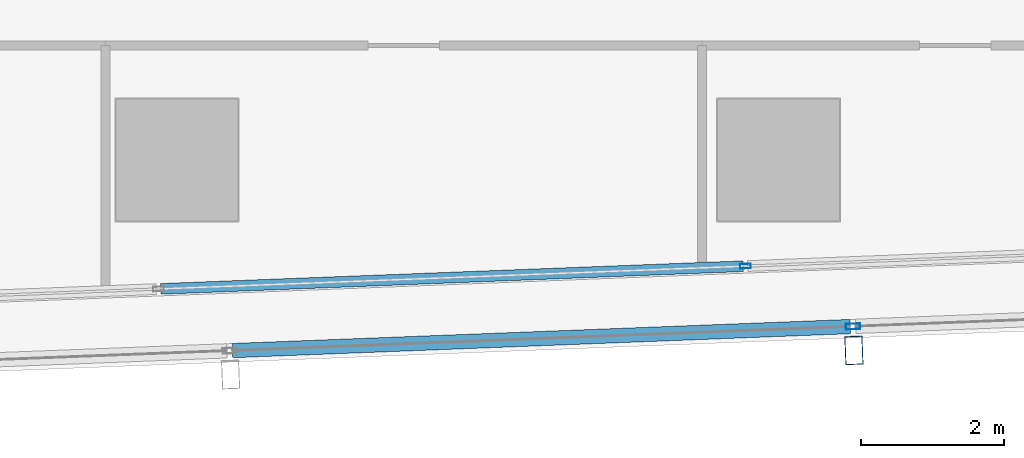
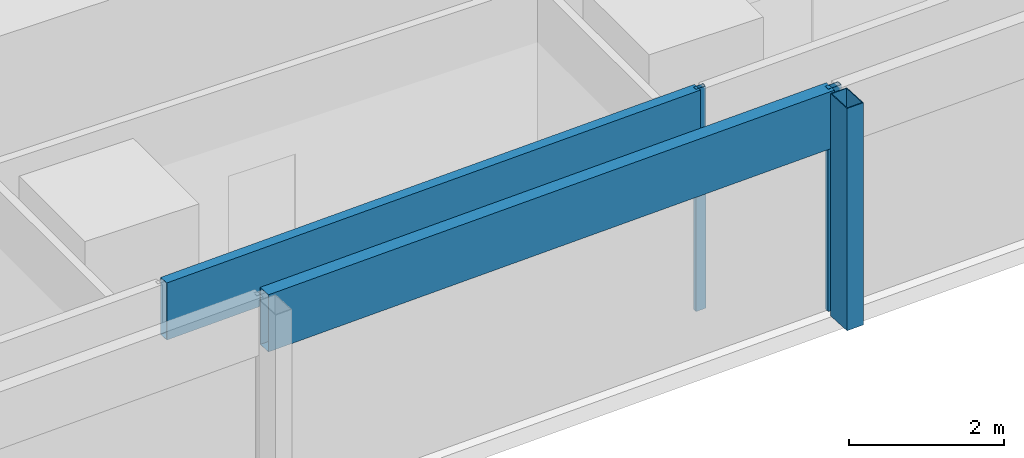
# One storey, part 10 of 40: 5 members, 2 elements without a shape of their own.
"""IFC4 building model written with IfcOpenShell, lengths in metres."""

from ifc_helpers import new_model, si_unit, direction, frame, origin, origin_2d, place, context, subcontext, project, spatial, hollow_rectangle, extrude, material, material_profile, profile_set, type_object, element, aggregate, save


model = new_model("IFC4")

# Units and contexts
model_context = context("Model", 3, precision=1e-05, world=origin(), true_north=direction((0.0, 1.0)))
body_context = subcontext(model_context, "Body", "Model", "MODEL_VIEW")
ifc_project = project(units=[si_unit("LENGTHUNIT", "METRE"), si_unit("AREAUNIT", "SQUARE_METRE"), si_unit("VOLUMEUNIT", "CUBIC_METRE"), si_unit("PLANEANGLEUNIT", "RADIAN"), si_unit("MASSUNIT", "GRAM", prefix="KILO")], contexts=[model_context])

# Site, building, storey
site_placement = place(None, origin())
site = spatial("IfcSite", under=ifc_project, at=site_placement, CompositionType="ELEMENT")
building_placement = place(site_placement, origin())
building = spatial("IfcBuilding", under=site, at=building_placement, Name="Rekha Terrace Tower", CompositionType="ELEMENT")
storey_placement = place(building_placement, frame((0.0, 0.0, 125.300048828125)))
storey = spatial("IfcBuildingStorey", under=building, at=storey_placement, Name="L31", CompositionType="ELEMENT", Elevation=125.300048828125)

# Curtain wall, member
ifc_material_1 = material(Name="Aluminium framing", Category="aluminium")
curtain_wall_type_1 = type_object("IfcCurtainWallType", Name="CW2 double skin outer glazing", PredefinedType="USERDEFINED", material=ifc_material_1)
curtain_wall_1_placement = place(storey_placement, origin())
curtain_wall_1 = element("IfcCurtainWall", 1, at=curtain_wall_1_placement, inside=storey, type_object=curtain_wall_type_1, Name="CW2 double skin outer glazing", ObjectType="DOUBLE SKIN OUTER GLAZING", PredefinedType="USERDEFINED")
ifc_material_2 = material(Name="Steel S355 with fluorocarbon finish", Category="steel")
ifc_material_profile_1 = material_profile(ifc_material_2, hollow_rectangle(XDim=0.25, YDim=0.39990234375, WallThickness=0.012451171875, at=origin_2d()), Name="RHS400x250x12.5")
ifc_profile_set_1 = profile_set([ifc_material_profile_1], Name="Steel S355 with fluorocarbon finish")
member_type_1 = type_object("IfcMemberType", Name="BL1 facade blade RHS 400 x 250", PredefinedType="USERDEFINED", material=ifc_profile_set_1)
member_1_placement = place(storey_placement, frame((51.4521484375, 14.141845703125, 0.0), z_axis=(0.0, 0.0, 1.0), x_axis=(0.999243494356, 0.038890088543, 0.0)))
member_1 = element("IfcMember", 2, at=member_1_placement, type_object=member_type_1, Name="Facade blade", ObjectType="FACADE BLADE", PredefinedType="USERDEFINED", context=body_context, shape_type="SweptSolid", body=[
    extrude(hollow_rectangle(XDim=0.25, YDim=0.39990234375, WallThickness=0.012451171875, at=origin_2d()), origin(), (0.0, 0.0, 1.0), 3.5),
])

# Curtain wall, members
curtain_wall_type_2 = type_object("IfcCurtainWallType", Name="CW1 double skin inner glazing", PredefinedType="USERDEFINED", material=ifc_material_1)
curtain_wall_2_placement = place(storey_placement, origin())
curtain_wall_2 = element("IfcCurtainWall", 3, at=curtain_wall_2_placement, inside=storey, type_object=curtain_wall_type_2, Name="CW1 double skin inner glazing", ObjectType="DOUBLE SKIN INNER GLAZING", PredefinedType="USERDEFINED")
ifc_material_3 = material(Name="Aluminium mullion section", Category="aluminium")
ifc_material_profile_2 = material_profile(ifc_material_3, hollow_rectangle(XDim=0.06494140625, YDim=0.14990234375, WallThickness=0.00390625, at=origin_2d()), Name="AL RHS 65x150")
ifc_profile_set_2 = profile_set([ifc_material_profile_2], Name="Aluminium mullion section")
member_type_2 = type_object("IfcMemberType", Name="CW1 mullion RHS 65 x 150", PredefinedType="MULLION", material=ifc_profile_set_2)
member_2_placement = place(storey_placement, frame((49.936767578125, 15.31884765625, 0.0), z_axis=(0.0, 0.0, 1.0), x_axis=(-0.038889971345, 0.999243498917, 0.0)))
member_2 = element("IfcMember", 4, at=member_2_placement, type_object=member_type_2, Name="CW1 mullion 4", PredefinedType="MULLION", context=body_context, shape_type="SweptSolid", body=[
    extrude(hollow_rectangle(XDim=0.06494140625, YDim=0.14990234375, WallThickness=0.00390625, at=origin_2d()), origin(), (0.0, 0.0, 1.0), 3.5),
])
ifc_material_4 = material(Name="Insulated aluminium spandrel box", Category="aluminium")
ifc_material_profile_3 = material_profile(ifc_material_4, hollow_rectangle(XDim=0.14990234375, YDim=0.89990234375, WallThickness=0.0029296875, at=origin_2d()), Name="AL SPANDREL BOX 150x900")
ifc_profile_set_3 = profile_set([ifc_material_profile_3], Name="Insulated aluminium spandrel box")
member_type_3 = type_object("IfcMemberType", Name="CW1 spandrel transom 150 x 900", PredefinedType="USERDEFINED", material=ifc_profile_set_3)
member_3_placement = place(storey_placement, frame((41.772705078125, 15.001220703125, 3.050048828125), z_axis=(0.999243835719, 0.038881316573, 0.0), x_axis=(-0.038881316573, 0.999243835719, 0.0)))
member_3 = element("IfcMember", 5, at=member_3_placement, type_object=member_type_3, Name="CW1 spandrel transom 3", ObjectType="TRANSOM", PredefinedType="USERDEFINED", context=body_context, shape_type="SweptSolid", body=[
    extrude(hollow_rectangle(XDim=0.14990234375, YDim=0.89990234375, WallThickness=0.0029296875, at=origin_2d()), origin(), (0.0, 0.0, 1.0), 8.1376953125),
])
aggregate(curtain_wall_2, [member_2, member_3])

# Member
ifc_material_profile_4 = material_profile(ifc_material_3, hollow_rectangle(XDim=0.080078125, YDim=0.199951171875, WallThickness=0.00390625, at=origin_2d()), Name="AL RHS 80x200")
ifc_profile_set_4 = profile_set([ifc_material_profile_4], Name="Aluminium mullion section")
member_type_4 = type_object("IfcMemberType", Name="CW2 mullion RHS 80 x 200", PredefinedType="MULLION", material=ifc_profile_set_4)
member_4_placement = place(storey_placement, frame((51.439208984375, 14.4765625, 0.0), z_axis=(0.0, 0.0, 1.0), x_axis=(-0.038889971345, 0.999243498917, 0.0)))
member_4 = element("IfcMember", 6, at=member_4_placement, type_object=member_type_4, Name="CW2 mullion 4", PredefinedType="MULLION", context=body_context, shape_type="SweptSolid", body=[
    extrude(hollow_rectangle(XDim=0.080078125, YDim=0.199951171875, WallThickness=0.00390625, at=origin_2d()), origin(), (0.0, 0.0, 1.0), 3.5),
])

ifc_material_profile_5 = material_profile(ifc_material_4, hollow_rectangle(XDim=0.199951171875, YDim=0.89990234375, WallThickness=0.0029296875, at=origin_2d()), Name="AL SPANDREL BOX 200x900")
ifc_profile_set_5 = profile_set([ifc_material_profile_5], Name="Insulated aluminium spandrel box")
member_type_5 = type_object("IfcMemberType", Name="CW2 spandrel transom 200 x 900", PredefinedType="USERDEFINED", material=ifc_profile_set_5)
member_5_placement = place(storey_placement, frame((42.774169921875, 14.139404296875, 3.050048828125), z_axis=(0.999243438523, 0.038891523097, 0.0), x_axis=(-0.038891523097, 0.999243438523, 0.0)))
member_5 = element("IfcMember", 7, at=member_5_placement, type_object=member_type_5, Name="CW2 spandrel transom 3", ObjectType="TRANSOM", PredefinedType="USERDEFINED", context=body_context, shape_type="SweptSolid", body=[
    extrude(hollow_rectangle(XDim=0.199951171875, YDim=0.89990234375, WallThickness=0.0029296875, at=origin_2d()), origin(), (0.0, 0.0, 1.0), 8.631591796875),
])

aggregate(curtain_wall_1, [member_4, member_5, member_1])

save(model, "model.ifc")
